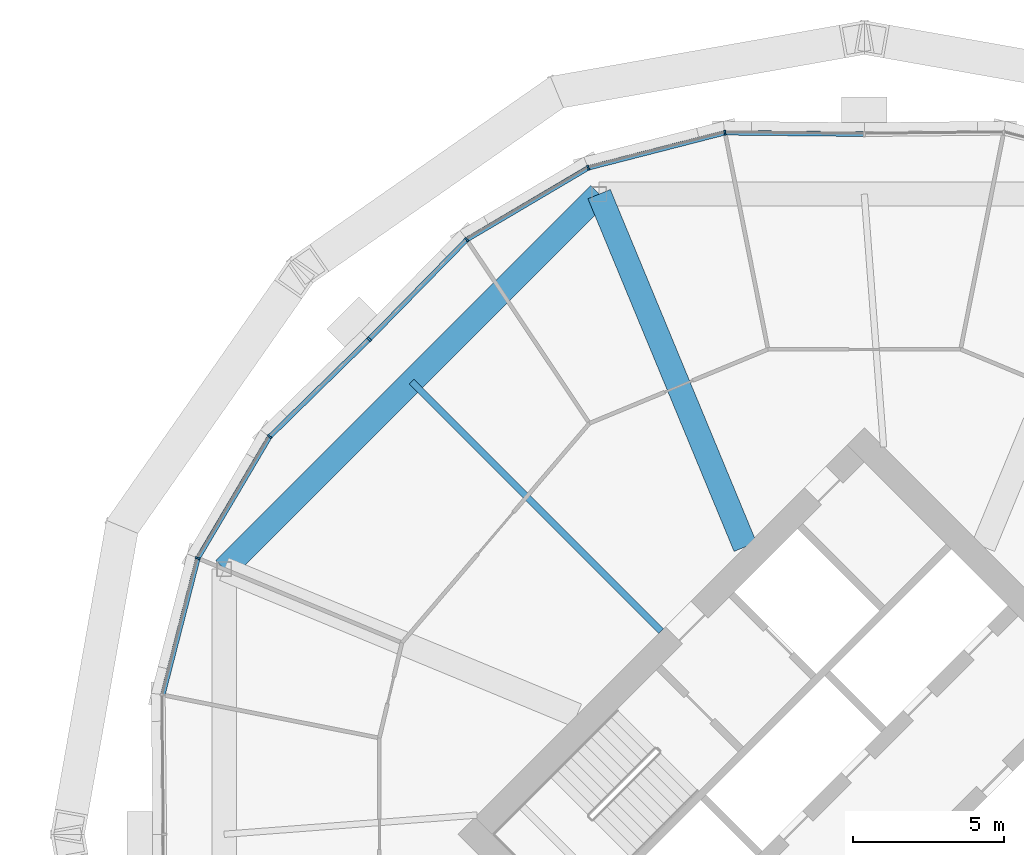
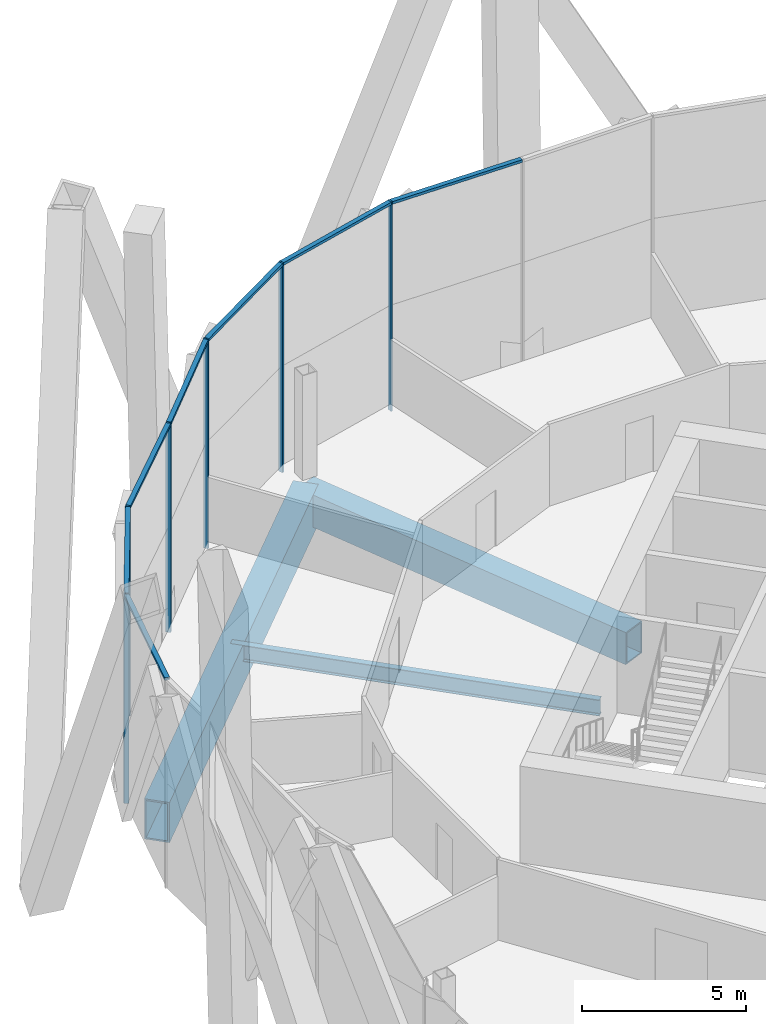
# One storey, part 14 of 31: 13 members, 3 beams, 2 elements without a shape of their own.
"""IFC4 building model written with IfcOpenShell, lengths in metres."""

from ifc_helpers import new_model, si_unit, direction, frame, origin, origin_2d, place, context, subcontext, project, spatial, rectangle, hollow_rectangle, i_section, extrude, material, material_profile, profile_set, type_object, element, aggregate, save


model = new_model("IFC4")

# Units and contexts
model_context = context("Model", 3, precision=1e-05, world=origin(), true_north=direction((0.0, 1.0)))
body_context = subcontext(model_context, "Body", "Model", "MODEL_VIEW")
ifc_project = project(units=[si_unit("LENGTHUNIT", "METRE"), si_unit("AREAUNIT", "SQUARE_METRE"), si_unit("VOLUMEUNIT", "CUBIC_METRE"), si_unit("PLANEANGLEUNIT", "RADIAN"), si_unit("MASSUNIT", "GRAM", prefix="KILO")], contexts=[model_context])

# Site, building, storey
site_placement = place(None, origin())
site = spatial("IfcSite", under=ifc_project, at=site_placement, CompositionType="ELEMENT")
building_placement = place(site_placement, origin())
building = spatial("IfcBuilding", under=site, at=building_placement, Name="Ogive Gate Towers", CompositionType="ELEMENT")
storey_placement = place(building_placement, frame((0.0, 0.0, 55.800048828125)))
storey = spatial("IfcBuildingStorey", under=building, at=storey_placement, Name="L12", CompositionType="ELEMENT", Elevation=55.800048828125)

# Beams
ifc_material_1 = material(Name="Steel SM460", Category="steel")
ifc_material_profile_1 = material_profile(ifc_material_1, hollow_rectangle(XDim=0.800048828125, YDim=1.5, WallThickness=0.06005859375, at=origin_2d()), Name="BX 1500x800x60")
ifc_profile_set_1 = profile_set([ifc_material_profile_1], Name="Steel SM460")
beam_type_1 = type_object("IfcBeamType", Name="Edge girder BX 1500x800x60", PredefinedType="BEAM", material=ifc_profile_set_1)
beam_1_placement = place(storey_placement, frame((27.236572265625, 21.15673828125, -1.050048828125), z_axis=(-0.707106781187, -0.707106781187, 0.0), x_axis=(0.707106781187, -0.707106781187, 0.0)))
element("IfcBeam", 1, at=beam_1_placement, inside=storey, type_object=beam_type_1, Name="T2/L12/SBM023", PredefinedType="BEAM", context=body_context, shape_type="SweptSolid", body=[
    extrude(hollow_rectangle(XDim=0.800048828125, YDim=1.5, WallThickness=0.06005859375, at=origin_2d()), origin(), (0.0, 0.0, 1.0), 17.52685546875),
])
ifc_material_2 = material(Name="Steel SM355", Category="steel")
ifc_material_profile_2 = material_profile(ifc_material_2, i_section(OverallWidth=0.219970703125, OverallDepth=0.60009765625, WebThickness=0.011962890625, FlangeThickness=0.01904296875, FilletRadius=0.02392578125, at=origin_2d()), Name="IPE 600")
ifc_profile_set_2 = profile_set([ifc_material_profile_2], Name="Steel SM355")
beam_type_2 = type_object("IfcBeamType", Name="Radial floor beam IPE 600", PredefinedType="BEAM", material=ifc_profile_set_2)
beam_2_placement = place(storey_placement, frame((29.282470703125, 6.717529296875, -0.60009765625), z_axis=(-0.707106781187, 0.707106781187, 0.0), x_axis=(-0.707106781187, -0.707106781187, 0.0)))
element("IfcBeam", 2, at=beam_2_placement, inside=storey, type_object=beam_type_2, Name="T2/L12/SBM014", PredefinedType="BEAM", context=body_context, shape_type="SweptSolid", body=[
    extrude(i_section(OverallWidth=0.219970703125, OverallDepth=0.60009765625, WebThickness=0.011962890625, FlangeThickness=0.01904296875, FilletRadius=0.02392578125, at=origin_2d()), origin(), (0.0, 0.0, 1.0), 11.656982421875),
])

# Curtain wall, members
ifc_material_3 = material(Name="Pale metal aluminium", Category="aluminium")
curtain_wall_type = type_object("IfcCurtainWallType", Name="Tower unitised wall, low zone", PredefinedType="NOTDEFINED", material=ifc_material_3)
curtain_wall_1_placement = place(storey_placement, origin())
curtain_wall_1 = element("IfcCurtainWall", 3, at=curtain_wall_1_placement, inside=storey, type_object=curtain_wall_type, Name="CW1 T2 ECW03", PredefinedType="NOTDEFINED")
ifc_material_profile_3 = material_profile(ifc_material_3, rectangle(XDim=0.159912109375, YDim=0.06005859375, at=origin_2d()), Name="60 x 160 aluminium box")
ifc_profile_set_3 = profile_set([ifc_material_profile_3], Name="Pale metal aluminium")
member_type_1 = type_object("IfcMemberType", Name="Tower unitised wall, low zone mullion 60 x 160", PredefinedType="MULLION", material=ifc_profile_set_3)
member_1_placement = place(storey_placement, frame((31.393798828125, 23.1875, -0.300048828125), z_axis=(0.0, 0.0, 1.0), x_axis=(-0.120379411626, 0.992727957326, 0.0)))
member_1 = element("IfcMember", 4, at=member_1_placement, type_object=member_type_1, Name="CW1 mullion", PredefinedType="MULLION", context=body_context, shape_type="SweptSolid", body=[
    extrude(rectangle(XDim=0.159912109375, YDim=0.06005859375, at=origin_2d()), origin(), (0.0, 0.0, 1.0), 7.800048828125),
])
member_2_placement = place(storey_placement, frame((26.87646484375, 22.026123046875, -0.300048828125), z_axis=(0.0, 0.0, 1.0), x_axis=(-0.382683432365, 0.923879532511, 0.0)))
member_2 = element("IfcMember", 5, at=member_2_placement, type_object=member_type_1, Name="CW1 mullion", PredefinedType="MULLION", context=body_context, shape_type="SweptSolid", body=[
    extrude(rectangle(XDim=0.159912109375, YDim=0.06005859375, at=origin_2d()), origin(), (0.0, 0.0, 1.0), 7.800048828125),
])
member_3_placement = place(storey_placement, frame((22.86083984375, 19.653076171875, -0.300048828125), z_axis=(0.0, 0.0, 1.0), x_axis=(-0.616843572223, 0.787085768775, 0.0)))
member_3 = element("IfcMember", 6, at=member_3_placement, type_object=member_type_1, Name="CW1 mullion", PredefinedType="MULLION", context=body_context, shape_type="SweptSolid", body=[
    extrude(rectangle(XDim=0.159912109375, YDim=0.06005859375, at=origin_2d()), origin(), (0.0, 0.0, 1.0), 7.800048828125),
])
member_4_placement = place(storey_placement, frame((19.6376953125, 16.362548828125, -0.300048828125), z_axis=(0.0, 0.0, 1.0), x_axis=(-0.714350554462, 0.699788028863, 0.0)))
member_4 = element("IfcMember", 7, at=member_4_placement, type_object=member_type_1, Name="CW1 mullion", PredefinedType="MULLION", context=body_context, shape_type="SweptSolid", body=[
    extrude(rectangle(XDim=0.159912109375, YDim=0.06005859375, at=origin_2d()), origin(), (0.0, 0.0, 1.0), 7.800048828125),
])

curtain_wall_2_placement = place(storey_placement, origin())
curtain_wall_2 = element("IfcCurtainWall", 8, at=curtain_wall_2_placement, inside=storey, type_object=curtain_wall_type, Name="CW1 T2 ECW04", PredefinedType="NOTDEFINED")
member_5_placement = place(storey_placement, frame((16.346923828125, 13.13916015625, -0.300048828125), z_axis=(0.0, 0.0, 1.0), x_axis=(-0.787085768775, 0.616843572223, 0.0)))
member_5 = element("IfcMember", 9, at=member_5_placement, type_object=member_type_1, Name="CW1 mullion", PredefinedType="MULLION", context=body_context, shape_type="SweptSolid", body=[
    extrude(rectangle(XDim=0.159912109375, YDim=0.06005859375, at=origin_2d()), origin(), (0.0, 0.0, 1.0), 7.800048828125),
])
member_6_placement = place(storey_placement, frame((13.973876953125, 9.12353515625, -0.300048828125), z_axis=(0.0, 0.0, 1.0), x_axis=(-0.923879532511, 0.382683432365, 0.0)))
member_6 = element("IfcMember", 10, at=member_6_placement, type_object=member_type_1, Name="CW1 mullion", PredefinedType="MULLION", context=body_context, shape_type="SweptSolid", body=[
    extrude(rectangle(XDim=0.159912109375, YDim=0.06005859375, at=origin_2d()), origin(), (0.0, 0.0, 1.0), 7.800048828125),
])

# Member
ifc_material_profile_4 = material_profile(ifc_material_3, rectangle(XDim=0.159912109375, YDim=0.10009765625, at=origin_2d()), Name="100 x 160 aluminium box")
ifc_profile_set_4 = profile_set([ifc_material_profile_4], Name="Pale metal aluminium")
member_type_2 = type_object("IfcMemberType", Name="Tower unitised wall, low zone transom 100 x 160", PredefinedType="USERDEFINED", material=ifc_profile_set_4)
member_7_placement = place(storey_placement, frame((35.9697265625, 23.140380859375, 7.449951171875), z_axis=(-0.999947449507, 0.010251742504, 0.0), x_axis=(-0.010251742504, -0.999947449507, 0.0)))
member_7 = element("IfcMember", 11, at=member_7_placement, type_object=member_type_2, Name="CW1 transom", ObjectType="TRANSOM", PredefinedType="USERDEFINED", context=body_context, shape_type="SweptSolid", body=[
    extrude(rectangle(XDim=0.159912109375, YDim=0.10009765625, at=origin_2d()), origin(), (0.0, 0.0, 1.0), 4.548583984375),
])

member_8_placement = place(storey_placement, frame((31.367431640625, 23.1806640625, 7.449951171875), z_axis=(-0.968497677012, -0.249022588577, 0.0), x_axis=(0.249022588577, -0.968497677012, 0.0)))
member_8 = element("IfcMember", 12, at=member_8_placement, type_object=member_type_2, Name="CW1 transom", ObjectType="TRANSOM", PredefinedType="USERDEFINED", context=body_context, shape_type="SweptSolid", body=[
    extrude(rectangle(XDim=0.159912109375, YDim=0.10009765625, at=origin_2d()), origin(), (0.0, 0.0, 1.0), 4.60986328125),
])

member_9_placement = place(storey_placement, frame((26.85302734375, 22.01220703125, 7.449951171875), z_axis=(-0.860885405398, -0.508798898164, 0.0), x_axis=(0.508798898164, -0.860885405398, 0.0)))
member_9 = element("IfcMember", 13, at=member_9_placement, type_object=member_type_2, Name="CW1 transom", ObjectType="TRANSOM", PredefinedType="USERDEFINED", context=body_context, shape_type="SweptSolid", body=[
    extrude(rectangle(XDim=0.159912109375, YDim=0.10009765625, at=origin_2d()), origin(), (0.0, 0.0, 1.0), 4.60986328125),
])

member_10_placement = place(storey_placement, frame((22.841796875, 19.63330078125, 7.449951171875), z_axis=(-0.699796604064, -0.714342153972, 0.0), x_axis=(0.714342153972, -0.699796604064, 0.0)))
member_10 = element("IfcMember", 14, at=member_10_placement, type_object=member_type_2, Name="CW1 transom", ObjectType="TRANSOM", PredefinedType="USERDEFINED", context=body_context, shape_type="SweptSolid", body=[
    extrude(rectangle(XDim=0.159912109375, YDim=0.10009765625, at=origin_2d()), origin(), (0.0, 0.0, 1.0), 4.548583984375),
])

aggregate(curtain_wall_1, [member_1, member_7, member_2, member_8, member_3, member_9, member_4, member_10])

member_11_placement = place(storey_placement, frame((19.615966796875, 16.34130859375, 7.449951171875), z_axis=(-0.714342153972, -0.699796604064, 0.0), x_axis=(0.699796604064, -0.714342153972, 0.0)))
member_11 = element("IfcMember", 15, at=member_11_placement, type_object=member_type_2, Name="CW1 transom", ObjectType="TRANSOM", PredefinedType="USERDEFINED", context=body_context, shape_type="SweptSolid", body=[
    extrude(rectangle(XDim=0.159912109375, YDim=0.10009765625, at=origin_2d()), origin(), (0.0, 0.0, 1.0), 4.548583984375),
])

member_12_placement = place(storey_placement, frame((16.333251953125, 13.115478515625, 7.449951171875), z_axis=(-0.508798898164, -0.860885405398, 0.0), x_axis=(0.860885405398, -0.508798898164, 0.0)))
member_12 = element("IfcMember", 16, at=member_12_placement, type_object=member_type_2, Name="CW1 transom", ObjectType="TRANSOM", PredefinedType="USERDEFINED", context=body_context, shape_type="SweptSolid", body=[
    extrude(rectangle(XDim=0.159912109375, YDim=0.10009765625, at=origin_2d()), origin(), (0.0, 0.0, 1.0), 4.60986328125),
])

member_13_placement = place(storey_placement, frame((13.96728515625, 9.09716796875, 7.449951171875), z_axis=(-0.249022588577, -0.968497677012, 0.0), x_axis=(0.968497677012, -0.249022588577, 0.0)))
member_13 = element("IfcMember", 17, at=member_13_placement, type_object=member_type_2, Name="CW1 transom", ObjectType="TRANSOM", PredefinedType="USERDEFINED", context=body_context, shape_type="SweptSolid", body=[
    extrude(rectangle(XDim=0.159912109375, YDim=0.10009765625, at=origin_2d()), origin(), (0.0, 0.0, 1.0), 4.60986328125),
])

aggregate(curtain_wall_2, [member_5, member_11, member_6, member_12, member_13])

# Beam
ifc_material_profile_5 = material_profile(ifc_material_1, hollow_rectangle(XDim=0.800048828125, YDim=1.199951171875, WallThickness=0.050048828125, at=origin_2d()), Name="BX 1200x800x50")
ifc_profile_set_5 = profile_set([ifc_material_profile_5], Name="Steel SM460")
beam_type_3 = type_object("IfcBeamType", Name="Transfer radial beam BX 1200x800x50", PredefinedType="BEAM", material=ifc_profile_set_5)
beam_3_placement = place(storey_placement, frame((32.06494140625, 9.5, -0.900146484375), z_axis=(-0.382682759347, 0.923879811284, 0.0), x_axis=(-0.923879811284, -0.382682759347, 0.0)))
element("IfcBeam", 18, at=beam_3_placement, inside=storey, type_object=beam_type_3, Name="T2/L12/SBM013", PredefinedType="BEAM", context=body_context, shape_type="SweptSolid", body=[
    extrude(hollow_rectangle(XDim=0.800048828125, YDim=1.199951171875, WallThickness=0.050048828125, at=origin_2d()), origin(), (0.0, 0.0, 1.0), 12.6171875),
])

save(model, "model.ifc")
